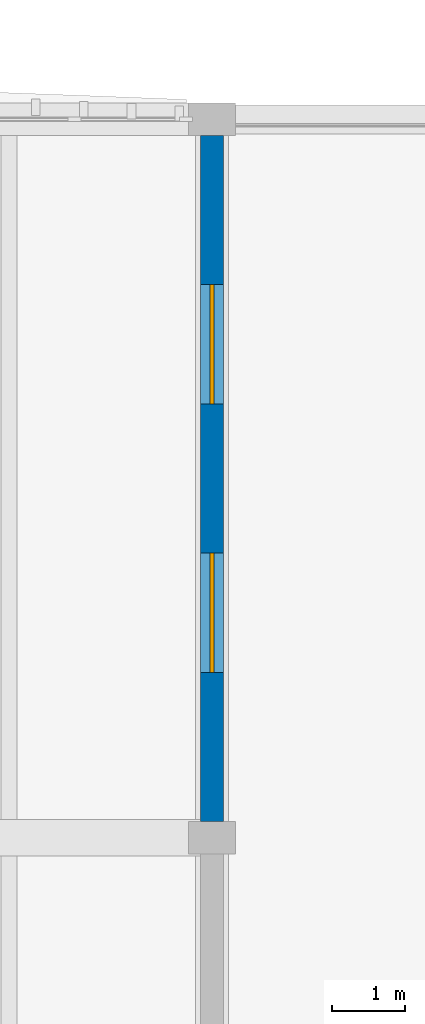
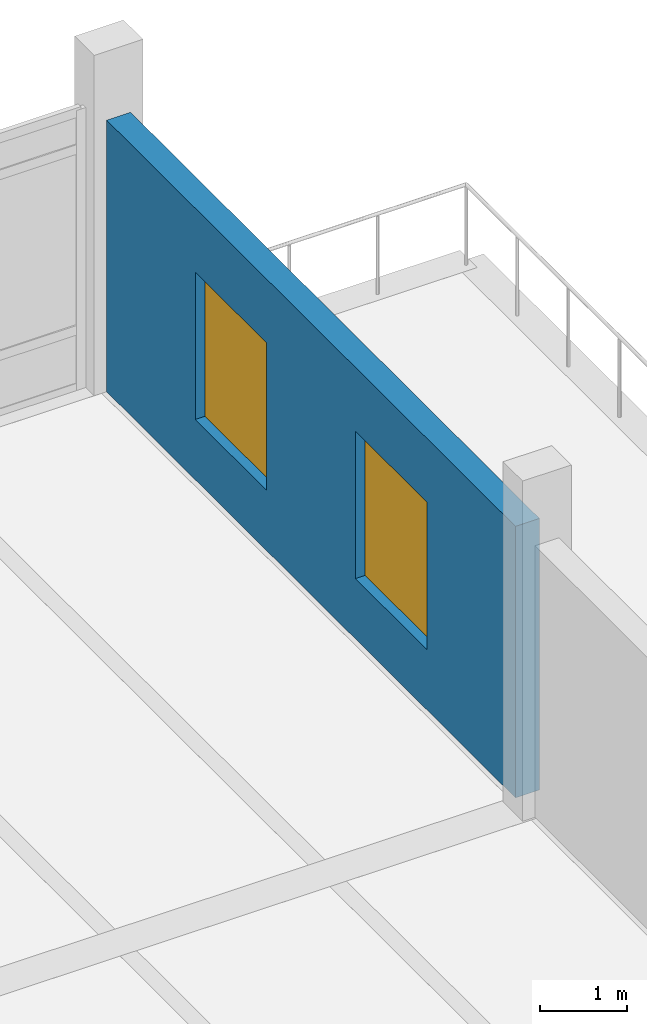
# One storey, part 25 of 39: 2 windows, 1 wall, 2 openings.
"""IFC4 building model written with IfcOpenShell, lengths in metres."""

import ifcopenshell
import ifcopenshell.guid

model = None  # the IFC model being written
_history = None  # IfcOwnerHistory: only IFC2X3 demands one
_inside = {}  # id of a spatial element -> (the spatial element, [elements in it])
_under = {}  # id of a project, library or spatial element -> (it, [spatial elements below it])
_declared = {}  # id of a project -> (the project, [libraries it declares])
_typed = {}  # id of a type object -> (the type object, [elements of that type])
_made_of = {}  # id of a material, layer set ... -> (it, [elements and type objects made of it])


def new_model(schema):
    """Start an empty IFC model of exactly this schema.

    Asked for "IFC4X3", IfcOpenShell would pick the latest addendum, in which some entities
    have other attributes; the version numbers below select the first issue.
    IFC2X3 requires an IfcOwnerHistory on every rooted entity: one is made here for all.
    """
    global model, _history
    if schema == "IFC4X3":
        model = ifcopenshell.file(schema_version=(4, 3, 0, 0))
    else:
        model = ifcopenshell.file(schema=schema)
    _inside.clear()
    _under.clear()
    _declared.clear()
    _typed.clear()
    _made_of.clear()
    _history = None
    if model.schema == "IFC2X3":
        org = make("IfcOrganization", Name="unknown")
        user = make(
            "IfcPersonAndOrganization",
            ThePerson=make("IfcPerson", FamilyName="unknown"),
            TheOrganization=org,
        )
        app = make(
            "IfcApplication",
            ApplicationDeveloper=org,
            Version="unknown",
            ApplicationFullName="unknown",
            ApplicationIdentifier="unknown",
        )
        _history = make(
            "IfcOwnerHistory",
            OwningUser=user,
            OwningApplication=app,
            ChangeAction="ADDED",
            CreationDate=0,
        )
    return model


def make(cls, **values):
    """One entity of the class cls with the attributes given. An attribute that is None is left unset."""
    return model.create_entity(
        cls, **{name: value for name, value in values.items() if value is not None}
    )


def rooted(cls, **values):
    """An entity with a GlobalId (a new one), such as an element, a storey or a relation."""
    return make(cls, GlobalId=ifcopenshell.guid.new(), OwnerHistory=_history, **values)


def si_unit(unit_type, name, prefix=None):
    """IfcSIUnit, for example si_unit("LENGTHUNIT", "METRE", prefix="MILLI")."""
    return make("IfcSIUnit", UnitType=unit_type, Prefix=prefix, Name=name)


def assignment(units):
    """IfcUnitAssignment: the units of a project."""
    return None if units is None else make("IfcUnitAssignment", Units=units)


def point(xyz):
    """IfcCartesianPoint."""
    return None if xyz is None else make("IfcCartesianPoint", Coordinates=xyz)


def direction(xyz):
    """IfcDirection."""
    return None if xyz is None else make("IfcDirection", DirectionRatios=xyz)


def frame(location, z_axis=None, x_axis=None):
    """IfcAxis2Placement3D, a coordinate frame: its origin and axes. An axis left out is left unset."""
    return make(
        "IfcAxis2Placement3D",
        Location=point(location),
        Axis=direction(z_axis),
        RefDirection=direction(x_axis),
    )


def frame_2d(location, x_axis=None):
    """IfcAxis2Placement2D, a coordinate frame in the plane: its origin and x axis."""
    return make(
        "IfcAxis2Placement2D", Location=point(location), RefDirection=direction(x_axis)
    )


def origin():
    """The frame at (0, 0, 0) with its axes left unset."""
    return frame((0.0, 0.0, 0.0))


def place(relative_to, where):
    """IfcLocalPlacement: puts the frame where relative to a parent placement (None: the world)."""
    return make(
        "IfcLocalPlacement", PlacementRelTo=relative_to, RelativePlacement=where
    )


def context(
    kind, dimensions, precision=None, world=None, true_north=None, identifier=None
):
    """IfcGeometricRepresentationContext, for example the 3D "Model" context."""
    return make(
        "IfcGeometricRepresentationContext",
        ContextIdentifier=identifier,
        ContextType=kind,
        CoordinateSpaceDimension=dimensions,
        Precision=precision,
        WorldCoordinateSystem=world,
        TrueNorth=true_north,
    )


def subcontext(parent, identifier, kind, view, scale=None):
    """IfcGeometricRepresentationSubContext, for example "Body" below "Model"."""
    return make(
        "IfcGeometricRepresentationSubContext",
        ContextIdentifier=identifier,
        ContextType=kind,
        ParentContext=parent,
        TargetScale=scale,
        TargetView=view,
    )


def project(units=None, contexts=None):
    """IfcProject with its units and contexts."""
    return rooted(
        "IfcProject",
        Name="project",
        RepresentationContexts=contexts,
        UnitsInContext=assignment(units),
    )


def spatial(cls, under=None, at=None, **own):
    """A site, building, storey or space (cls), placed at a placement, below another one or the project."""
    s = rooted(cls, ObjectPlacement=at, **own)
    if under is not None:
        _under.setdefault(under.id(), (under, []))[1].append(s)
    return s


def profile(cls, at=None, kind="AREA", **sizes):
    """A parametric profile (cls). Its sizes go by their IFC names, for example OverallWidth=200.0."""
    return make(cls, ProfileType=kind, Position=at, **sizes)


def rectangle(**sizes):
    """IfcRectangleProfileDef."""
    return profile("IfcRectangleProfileDef", **sizes)


def extrude(swept, where, along, depth):
    """IfcExtrudedAreaSolid: the profile swept, set in the frame where, extruded along a direction by depth."""
    return make(
        "IfcExtrudedAreaSolid",
        SweptArea=swept,
        Position=where,
        ExtrudedDirection=direction(along),
        Depth=depth,
    )


def shape(context_of_items, identifier, shape_type, items):
    """IfcShapeRepresentation: the items that make up one representation, for example the "Body"."""
    return make(
        "IfcShapeRepresentation",
        ContextOfItems=context_of_items,
        RepresentationIdentifier=identifier,
        RepresentationType=shape_type,
        Items=items,
    )


def material(Name=None, Category=None):
    """IfcMaterial."""
    return make("IfcMaterial", Name=Name, Category=Category)


def layer(
    of_material, thickness, ventilated=None, Name=None, Category=None, Priority=None
):
    """IfcMaterialLayer: one layer of a wall or slab, of a material (None: an air gap)."""
    return make(
        "IfcMaterialLayer",
        Material=of_material,
        LayerThickness=thickness,
        IsVentilated=ventilated,
        Name=Name,
        Category=Category,
        Priority=Priority,
    )


def layer_set(layers, Name=None):
    """IfcMaterialLayerSet."""
    return make("IfcMaterialLayerSet", MaterialLayers=layers, LayerSetName=Name)


def made_of(thing, what):
    """Note that an element or type object is made of a material, layer set ...; save() writes the relation."""
    if what is not None:
        _made_of.setdefault(what.id(), (what, []))[1].append(thing)
    return thing


def type_object(cls, material=None, **own):
    """A type object (cls), such as IfcWallType, which elements share."""
    return made_of(rooted(cls, **own), material)


def element(
    cls,
    number,
    at=None,
    inside=None,
    cuts=None,
    type_object=None,
    material=None,
    context=None,
    identifier="Body",
    shape_type=None,
    held_by="IfcProductDefinitionShape",
    body=None,
    shapes=None,
    **own,
):
    """One element of the class cls, such as IfcWall. Its Tag is "e" and its number.

    at: its placement. inside: the storey or other place that contains it. cuts: it is an
    opening in that element (IfcRelVoidsElement). A single representation is given by context,
    identifier, shape_type and body (its items); several are given by shapes. held_by: the class
    of the entity that holds the representations. save() writes the other relations.
    """
    e = rooted(cls, Tag="e%d" % number, ObjectPlacement=at, **own)
    if body is not None:
        shapes = [shape(context, identifier, shape_type, body)]
    if shapes is not None:
        e.Representation = make(held_by, Representations=shapes)
    if inside is not None:
        _inside.setdefault(inside.id(), (inside, []))[1].append(e)
    if cuts is not None:
        rooted(
            "IfcRelVoidsElement", RelatingBuildingElement=cuts, RelatedOpeningElement=e
        )
    if type_object is not None:
        _typed.setdefault(type_object.id(), (type_object, []))[1].append(e)
    return made_of(e, material)


def fill(opening, filler):
    """IfcRelFillsElement: the door or window that sits in an opening."""
    return rooted(
        "IfcRelFillsElement",
        RelatingOpeningElement=opening,
        RelatedBuildingElement=filler,
    )


def aggregate(whole, parts):
    """IfcRelAggregates: a whole, such as a stair, and the parts it consists of."""
    return rooted("IfcRelAggregates", RelatingObject=whole, RelatedObjects=parts)


def save(model, path):
    """Write the relations noted so far, then the file.

    IfcRelAggregates (storeys below a building ...), IfcRelContainedInSpatialStructure (elements
    in a storey), IfcRelDefinesByType, IfcRelAssociatesMaterial and IfcRelDeclares: one each for
    every whole, place, type object, material and project.
    """
    for whole, parts in _under.values():
        aggregate(whole, parts)
    for where, things in _inside.values():
        rooted(
            "IfcRelContainedInSpatialStructure",
            RelatedElements=things,
            RelatingStructure=where,
        )
    for kind, things in _typed.values():
        rooted("IfcRelDefinesByType", RelatedObjects=things, RelatingType=kind)
    for what, things in _made_of.values():
        rooted("IfcRelAssociatesMaterial", RelatedObjects=things, RelatingMaterial=what)
    for by, libraries in _declared.values():
        rooted("IfcRelDeclares", RelatingContext=by, RelatedDefinitions=libraries)
    model.write(path)


model = new_model("IFC4")

# Units and contexts
model_context = context("Model", 3, precision=1e-05, world=origin(), true_north=direction((0.0, 1.0)))
body_context = subcontext(model_context, "Body", "Model", "MODEL_VIEW")
ifc_project = project(units=[si_unit("LENGTHUNIT", "METRE"), si_unit("AREAUNIT", "SQUARE_METRE"), si_unit("VOLUMEUNIT", "CUBIC_METRE"), si_unit("PLANEANGLEUNIT", "RADIAN"), si_unit("MASSUNIT", "GRAM", prefix="KILO")], contexts=[model_context])

# Site, building, storey
site_placement = place(None, origin())
site = spatial("IfcSite", under=ifc_project, at=site_placement, CompositionType="ELEMENT")
building_placement = place(site_placement, origin())
building = spatial("IfcBuilding", under=site, at=building_placement, Name="Dornvale Research Institute", CompositionType="ELEMENT")
storey_placement = place(building_placement, frame((0.0, 0.0, 24.60009765625)))
storey = spatial("IfcBuildingStorey", under=building, at=storey_placement, Name="L05", CompositionType="ELEMENT", Elevation=24.60009765625)

# Wall, openings, windows
ifc_material_1 = material(Name="Catalan Pressed Brick and Insulated Cavity Assembly", Category="masonry")
ifc_layer = layer(ifc_material_1, 0.320068359375)
ifc_layer_set = layer_set([ifc_layer], Name="Catalan Pressed Brick and Insulated Cavity Assembly")
wall_type = type_object("IfcWallType", Name="StandardWall_BrickCavity_320", PredefinedType="STANDARD", material=ifc_layer_set)
wall_placement = place(storey_placement, frame((173.39990234375, 121.875, 0.0), z_axis=(0.0, 0.0, 1.0), x_axis=(0.0, -1.0, 0.0)))
wall = element("IfcWall", 1, at=wall_placement, inside=storey, type_object=wall_type, Name="L05 V4 east exterior wall #268", PredefinedType="STANDARD", context=body_context, shape_type="SweptSolid", body=[
    extrude(rectangle(XDim=9.449951171875, YDim=0.320068359375, at=frame_2d((4.72509765625, 0.0))), origin(), (0.0, 0.0, 1.0), 3.829833984375),
])
opening_1_placement = place(wall_placement, frame((2.050048828125, 0.0, 0.85009765625)))
opening_1 = element("IfcOpeningElement", 2, at=opening_1_placement, cuts=wall, Name="Opening W-40", PredefinedType="OPENING", context=body_context, shape_type="SweptSolid", body=[
    extrude(rectangle(XDim=1.64990234375, YDim=2.080078125, at=frame_2d((0.824951171875, 1.0400390625))), frame((0.0, 0.175048828125, 0.0), z_axis=(0.0, -1.0, 0.0), x_axis=(1.0, 0.0, 0.0)), (0.0, 0.0, 1.0), 0.35009765625),
])
opening_2_placement = place(wall_placement, frame((5.75, 0.0, 0.85009765625)))
opening_2 = element("IfcOpeningElement", 3, at=opening_2_placement, cuts=wall, Name="Opening W-40", PredefinedType="OPENING", context=body_context, shape_type="SweptSolid", body=[
    extrude(rectangle(XDim=1.64990234375, YDim=2.080078125, at=frame_2d((0.824951171875, 1.0400390625))), frame((0.0, 0.175048828125, 0.0), z_axis=(0.0, -1.0, 0.0), x_axis=(1.0, 0.0, 0.0)), (0.0, 0.0, 1.0), 0.35009765625),
])
ifc_material_2 = material(Name="Low-E Argon Double Insulating Glazing Unit", Category="glass")
window_type = type_object("IfcWindowType", Name="Window_Alu_1650x2080_40", PartitioningType="SINGLE_PANEL", PredefinedType="WINDOW", material=ifc_material_2)
window_1_placement = place(opening_1_placement, origin())
window_1 = element("IfcWindow", 4, at=window_1_placement, inside=storey, type_object=window_type, Name="L05 V4 facade window W-40 #369", OverallHeight=2.080078125, OverallWidth=1.64990234375, PartitioningType="SINGLE_PANEL", PredefinedType="WINDOW", context=body_context, shape_type="SweptSolid", body=[
    extrude(rectangle(XDim=1.64990234375, YDim=2.080078125, at=frame_2d((0.824951171875, 1.0400390625))), frame((0.0, 0.030029296875, 0.0), z_axis=(0.0, -1.0, 0.0), x_axis=(1.0, 0.0, 0.0)), (0.0, 0.0, 1.0), 0.06005859375),
])
fill(opening_1, window_1)
window_2_placement = place(opening_2_placement, origin())
window_2 = element("IfcWindow", 5, at=window_2_placement, inside=storey, type_object=window_type, Name="L05 V4 facade window W-40 #370", OverallHeight=2.080078125, OverallWidth=1.64990234375, PartitioningType="SINGLE_PANEL", PredefinedType="WINDOW", context=body_context, shape_type="SweptSolid", body=[
    extrude(rectangle(XDim=1.64990234375, YDim=2.080078125, at=frame_2d((0.824951171875, 1.0400390625))), frame((0.0, 0.030029296875, 0.0), z_axis=(0.0, -1.0, 0.0), x_axis=(1.0, 0.0, 0.0)), (0.0, 0.0, 1.0), 0.06005859375),
])
fill(opening_2, window_2)

save(model, "model.ifc")
